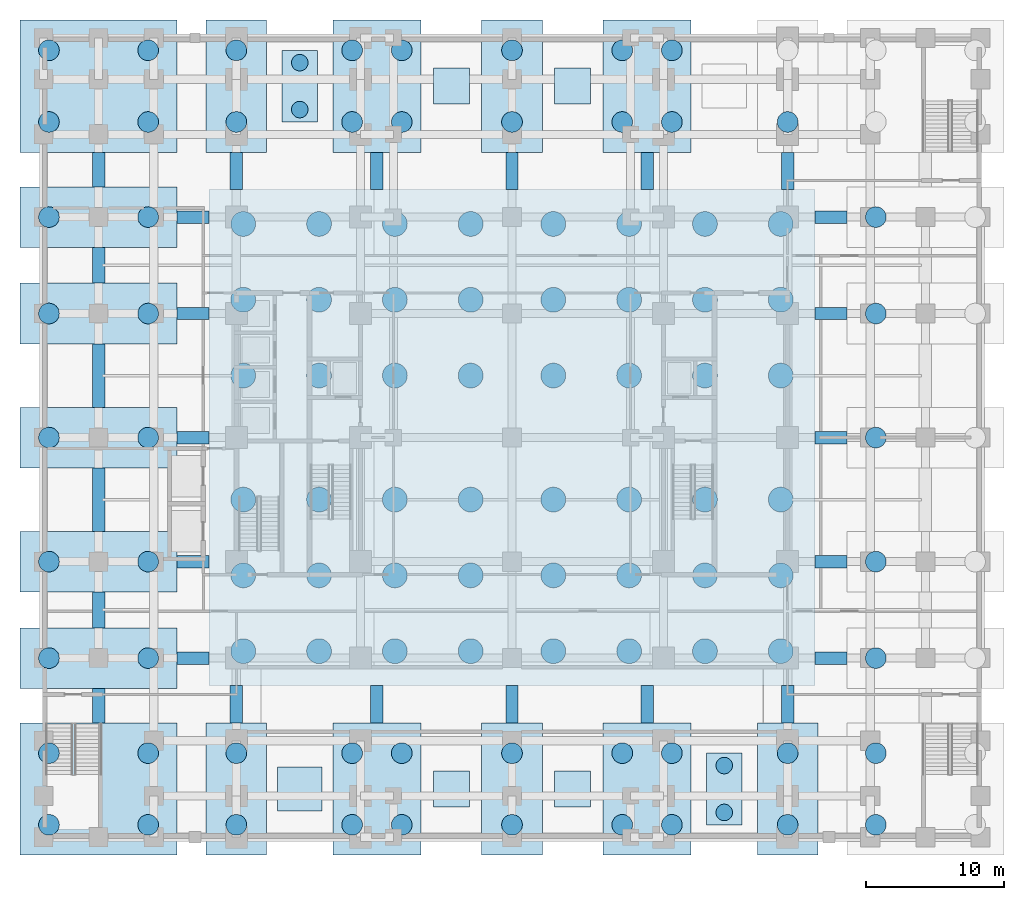
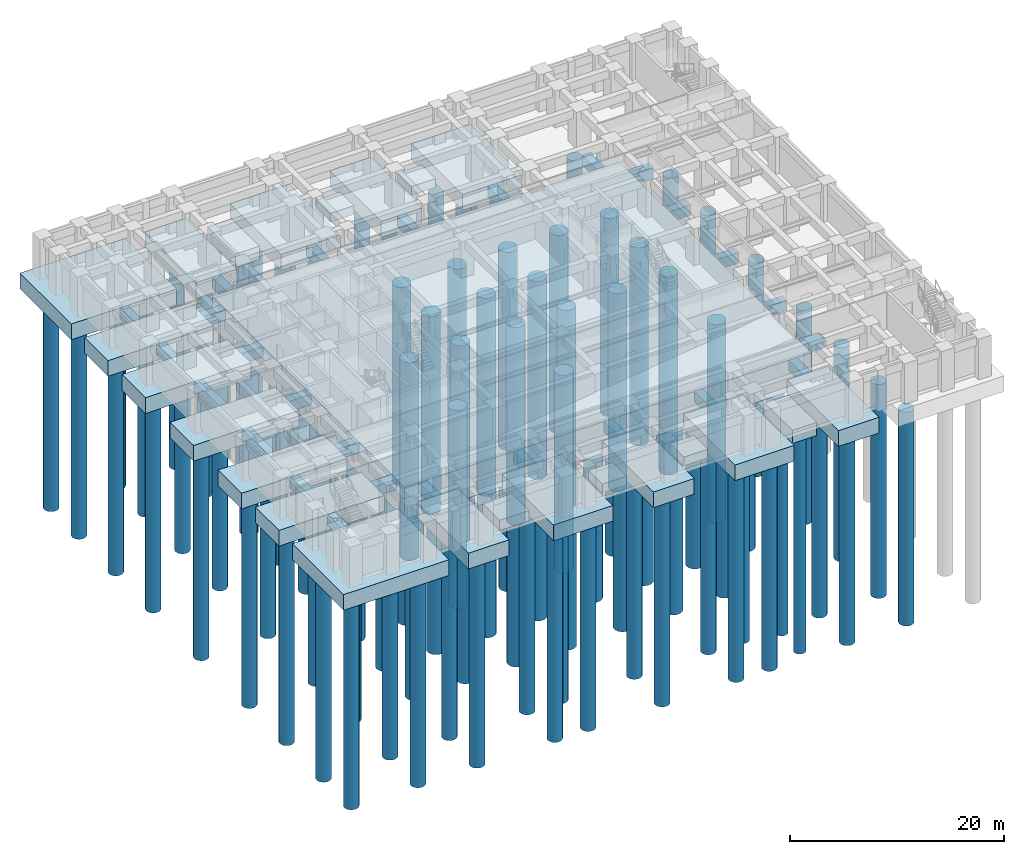
# One storey, part 1 of 16: 104 piles, 50 footings.
"""IFC4 building model written with IfcOpenShell, lengths in metres."""

import ifcopenshell
import ifcopenshell.guid

model = None  # the IFC model being written
_history = None  # IfcOwnerHistory: only IFC2X3 demands one
_inside = {}  # id of a spatial element -> (the spatial element, [elements in it])
_under = {}  # id of a project, library or spatial element -> (it, [spatial elements below it])
_declared = {}  # id of a project -> (the project, [libraries it declares])
_typed = {}  # id of a type object -> (the type object, [elements of that type])
_made_of = {}  # id of a material, layer set ... -> (it, [elements and type objects made of it])


def new_model(schema):
    """Start an empty IFC model of exactly this schema.

    Asked for "IFC4X3", IfcOpenShell would pick the latest addendum, in which some entities
    have other attributes; the version numbers below select the first issue.
    IFC2X3 requires an IfcOwnerHistory on every rooted entity: one is made here for all.
    """
    global model, _history
    if schema == "IFC4X3":
        model = ifcopenshell.file(schema_version=(4, 3, 0, 0))
    else:
        model = ifcopenshell.file(schema=schema)
    _inside.clear()
    _under.clear()
    _declared.clear()
    _typed.clear()
    _made_of.clear()
    _history = None
    if model.schema == "IFC2X3":
        org = make("IfcOrganization", Name="unknown")
        user = make(
            "IfcPersonAndOrganization",
            ThePerson=make("IfcPerson", FamilyName="unknown"),
            TheOrganization=org,
        )
        app = make(
            "IfcApplication",
            ApplicationDeveloper=org,
            Version="unknown",
            ApplicationFullName="unknown",
            ApplicationIdentifier="unknown",
        )
        _history = make(
            "IfcOwnerHistory",
            OwningUser=user,
            OwningApplication=app,
            ChangeAction="ADDED",
            CreationDate=0,
        )
    return model


def make(cls, **values):
    """One entity of the class cls with the attributes given. An attribute that is None is left unset."""
    return model.create_entity(
        cls, **{name: value for name, value in values.items() if value is not None}
    )


def rooted(cls, **values):
    """An entity with a GlobalId (a new one), such as an element, a storey or a relation."""
    return make(cls, GlobalId=ifcopenshell.guid.new(), OwnerHistory=_history, **values)


def si_unit(unit_type, name, prefix=None):
    """IfcSIUnit, for example si_unit("LENGTHUNIT", "METRE", prefix="MILLI")."""
    return make("IfcSIUnit", UnitType=unit_type, Prefix=prefix, Name=name)


def assignment(units):
    """IfcUnitAssignment: the units of a project."""
    return None if units is None else make("IfcUnitAssignment", Units=units)


def point(xyz):
    """IfcCartesianPoint."""
    return None if xyz is None else make("IfcCartesianPoint", Coordinates=xyz)


def direction(xyz):
    """IfcDirection."""
    return None if xyz is None else make("IfcDirection", DirectionRatios=xyz)


def frame(location, z_axis=None, x_axis=None):
    """IfcAxis2Placement3D, a coordinate frame: its origin and axes. An axis left out is left unset."""
    return make(
        "IfcAxis2Placement3D",
        Location=point(location),
        Axis=direction(z_axis),
        RefDirection=direction(x_axis),
    )


def frame_2d(location, x_axis=None):
    """IfcAxis2Placement2D, a coordinate frame in the plane: its origin and x axis."""
    return make(
        "IfcAxis2Placement2D", Location=point(location), RefDirection=direction(x_axis)
    )


def origin():
    """The frame at (0, 0, 0) with its axes left unset."""
    return frame((0.0, 0.0, 0.0))


def origin_2d():
    """The frame at (0, 0) in the plane with its x axis left unset."""
    return frame_2d((0.0, 0.0))


def place(relative_to, where):
    """IfcLocalPlacement: puts the frame where relative to a parent placement (None: the world)."""
    return make(
        "IfcLocalPlacement", PlacementRelTo=relative_to, RelativePlacement=where
    )


def context(
    kind, dimensions, precision=None, world=None, true_north=None, identifier=None
):
    """IfcGeometricRepresentationContext, for example the 3D "Model" context."""
    return make(
        "IfcGeometricRepresentationContext",
        ContextIdentifier=identifier,
        ContextType=kind,
        CoordinateSpaceDimension=dimensions,
        Precision=precision,
        WorldCoordinateSystem=world,
        TrueNorth=true_north,
    )


def subcontext(parent, identifier, kind, view, scale=None):
    """IfcGeometricRepresentationSubContext, for example "Body" below "Model"."""
    return make(
        "IfcGeometricRepresentationSubContext",
        ContextIdentifier=identifier,
        ContextType=kind,
        ParentContext=parent,
        TargetScale=scale,
        TargetView=view,
    )


def project(units=None, contexts=None):
    """IfcProject with its units and contexts."""
    return rooted(
        "IfcProject",
        Name="project",
        RepresentationContexts=contexts,
        UnitsInContext=assignment(units),
    )


def spatial(cls, under=None, at=None, **own):
    """A site, building, storey or space (cls), placed at a placement, below another one or the project."""
    s = rooted(cls, ObjectPlacement=at, **own)
    if under is not None:
        _under.setdefault(under.id(), (under, []))[1].append(s)
    return s


def polyline(points):
    """IfcPolyline through the points."""
    return make("IfcPolyline", Points=[point(p) for p in points])


def profile(cls, at=None, kind="AREA", **sizes):
    """A parametric profile (cls). Its sizes go by their IFC names, for example OverallWidth=200.0."""
    return make(cls, ProfileType=kind, Position=at, **sizes)


def rectangle(**sizes):
    """IfcRectangleProfileDef."""
    return profile("IfcRectangleProfileDef", **sizes)


def circle(**sizes):
    """IfcCircleProfileDef."""
    return profile("IfcCircleProfileDef", **sizes)


def outline(outer, holes=None, kind="AREA"):
    """IfcArbitraryClosedProfileDef: a profile drawn as a closed curve; with holes, ...WithVoids."""
    if holes is None:
        return make("IfcArbitraryClosedProfileDef", ProfileType=kind, OuterCurve=outer)
    return make(
        "IfcArbitraryProfileDefWithVoids",
        ProfileType=kind,
        OuterCurve=outer,
        InnerCurves=holes,
    )


def extrude(swept, where, along, depth):
    """IfcExtrudedAreaSolid: the profile swept, set in the frame where, extruded along a direction by depth."""
    return make(
        "IfcExtrudedAreaSolid",
        SweptArea=swept,
        Position=where,
        ExtrudedDirection=direction(along),
        Depth=depth,
    )


def shape(context_of_items, identifier, shape_type, items):
    """IfcShapeRepresentation: the items that make up one representation, for example the "Body"."""
    return make(
        "IfcShapeRepresentation",
        ContextOfItems=context_of_items,
        RepresentationIdentifier=identifier,
        RepresentationType=shape_type,
        Items=items,
    )


def material(Name=None, Category=None):
    """IfcMaterial."""
    return make("IfcMaterial", Name=Name, Category=Category)


def material_profile(
    of_material, cross_section, Name=None, Category=None, Priority=None
):
    """IfcMaterialProfile: a cross section and its material."""
    return make(
        "IfcMaterialProfile",
        Name=Name,
        Material=of_material,
        Profile=cross_section,
        Priority=Priority,
        Category=Category,
    )


def profile_set(profiles, Name=None, composite=None):
    """IfcMaterialProfileSet."""
    return make(
        "IfcMaterialProfileSet",
        Name=Name,
        MaterialProfiles=profiles,
        CompositeProfile=composite,
    )


def made_of(thing, what):
    """Note that an element or type object is made of a material, layer set ...; save() writes the relation."""
    if what is not None:
        _made_of.setdefault(what.id(), (what, []))[1].append(thing)
    return thing


def type_object(cls, material=None, **own):
    """A type object (cls), such as IfcWallType, which elements share."""
    return made_of(rooted(cls, **own), material)


def element(
    cls,
    number,
    at=None,
    inside=None,
    cuts=None,
    type_object=None,
    material=None,
    context=None,
    identifier="Body",
    shape_type=None,
    held_by="IfcProductDefinitionShape",
    body=None,
    shapes=None,
    **own,
):
    """One element of the class cls, such as IfcWall. Its Tag is "e" and its number.

    at: its placement. inside: the storey or other place that contains it. cuts: it is an
    opening in that element (IfcRelVoidsElement). A single representation is given by context,
    identifier, shape_type and body (its items); several are given by shapes. held_by: the class
    of the entity that holds the representations. save() writes the other relations.
    """
    e = rooted(cls, Tag="e%d" % number, ObjectPlacement=at, **own)
    if body is not None:
        shapes = [shape(context, identifier, shape_type, body)]
    if shapes is not None:
        e.Representation = make(held_by, Representations=shapes)
    if inside is not None:
        _inside.setdefault(inside.id(), (inside, []))[1].append(e)
    if cuts is not None:
        rooted(
            "IfcRelVoidsElement", RelatingBuildingElement=cuts, RelatedOpeningElement=e
        )
    if type_object is not None:
        _typed.setdefault(type_object.id(), (type_object, []))[1].append(e)
    return made_of(e, material)


def aggregate(whole, parts):
    """IfcRelAggregates: a whole, such as a stair, and the parts it consists of."""
    return rooted("IfcRelAggregates", RelatingObject=whole, RelatedObjects=parts)


def save(model, path):
    """Write the relations noted so far, then the file.

    IfcRelAggregates (storeys below a building ...), IfcRelContainedInSpatialStructure (elements
    in a storey), IfcRelDefinesByType, IfcRelAssociatesMaterial and IfcRelDeclares: one each for
    every whole, place, type object, material and project.
    """
    for whole, parts in _under.values():
        aggregate(whole, parts)
    for where, things in _inside.values():
        rooted(
            "IfcRelContainedInSpatialStructure",
            RelatedElements=things,
            RelatingStructure=where,
        )
    for kind, things in _typed.values():
        rooted("IfcRelDefinesByType", RelatedObjects=things, RelatingType=kind)
    for what, things in _made_of.values():
        rooted("IfcRelAssociatesMaterial", RelatedObjects=things, RelatingMaterial=what)
    for by, libraries in _declared.values():
        rooted("IfcRelDeclares", RelatingContext=by, RelatedDefinitions=libraries)
    model.write(path)


model = new_model("IFC4")

# Units and contexts
model_context = context("Model", 3, precision=1e-05, world=origin(), true_north=direction((0.0, 1.0)))
body_context = subcontext(model_context, "Body", "Model", "MODEL_VIEW")
ifc_project = project(units=[si_unit("LENGTHUNIT", "METRE"), si_unit("AREAUNIT", "SQUARE_METRE"), si_unit("VOLUMEUNIT", "CUBIC_METRE"), si_unit("PLANEANGLEUNIT", "RADIAN"), si_unit("MASSUNIT", "GRAM", prefix="KILO")], contexts=[model_context])

# Site, building, storey
site_placement = place(None, origin())
site = spatial("IfcSite", under=ifc_project, at=site_placement, CompositionType="ELEMENT")
building_placement = place(site_placement, origin())
building = spatial("IfcBuilding", under=site, at=building_placement, Name="Zulmaris Gate Convention Tower", CompositionType="ELEMENT")
storey_placement = place(building_placement, frame((0.0, 0.0, -9.10009765625)))
storey = spatial("IfcBuildingStorey", under=building, at=storey_placement, Name="B2", CompositionType="ELEMENT", Elevation=-9.10009765625)

# Footings
ifc_material = material(Name="Concrete C50/60", Category="concrete")
ifc_material_profile_1 = material_profile(ifc_material, rectangle(XDim=0.89990234375, YDim=1.199951171875, at=origin_2d()), Name="RC TIE 900x1200")
ifc_profile_set_1 = profile_set([ifc_material_profile_1], Name="Concrete C50/60")
footing_type_1 = type_object("IfcFootingType", Name="FT-GB-900x1200", PredefinedType="FOOTING_BEAM", material=ifc_profile_set_1)
footing_1_placement = place(storey_placement, frame((-30.0, -20.699951171875, -1.0498046875), z_axis=(0.0, 1.0, 0.0), x_axis=(-1.0, 0.0, 0.0)))
element("IfcFooting", 1, at=footing_1_placement, inside=storey, type_object=footing_type_1, Name="Ground Tie Beam 01", PredefinedType="FOOTING_BEAM", context=body_context, shape_type="SweptSolid", body=[
    extrude(rectangle(XDim=0.89990234375, YDim=1.199951171875, at=origin_2d()), origin(), (0.0, 0.0, 1.0), 2.5),
])
footing_2_placement = place(storey_placement, frame((-30.0, -13.800048828125, -1.0498046875), z_axis=(0.0, 1.0, 0.0), x_axis=(-1.0, 0.0, 0.0)))
element("IfcFooting", 2, at=footing_2_placement, inside=storey, type_object=footing_type_1, Name="Ground Tie Beam 02", PredefinedType="FOOTING_BEAM", context=body_context, shape_type="SweptSolid", body=[
    extrude(rectangle(XDim=0.89990234375, YDim=1.199951171875, at=origin_2d()), origin(), (0.0, 0.0, 1.0), 2.60009765625),
])
for number, where, z_axis, x_axis, name in (
    (3, (-30.0, -6.800048828125, -1.0498046875), (0.0, 1.0, 0.0), (-1.0, 0.0, 0.0), "Ground Tie Beam 03"),
    (4, (-30.0, 2.199951171875, -1.0498046875), (0.0, 1.0, 0.0), (-1.0, 0.0, 0.0), "Ground Tie Beam 04"),
):
    element("IfcFooting", number, at=place(storey_placement, frame(where, z_axis=z_axis, x_axis=x_axis)), inside=storey, type_object=footing_type_1, Name=name, PredefinedType="FOOTING_BEAM", context=body_context, shape_type="SweptSolid", body=[
        extrude(rectangle(XDim=0.89990234375, YDim=1.199951171875, at=origin_2d()), origin(), (0.0, 0.0, 1.0), 4.60009765625),
    ])
footing_3_placement = place(storey_placement, frame((-30.0, 11.199951171875, -1.0498046875), z_axis=(0.0, 1.0, 0.0), x_axis=(-1.0, 0.0, 0.0)))
element("IfcFooting", 5, at=footing_3_placement, inside=storey, type_object=footing_type_1, Name="Ground Tie Beam 05", PredefinedType="FOOTING_BEAM", context=body_context, shape_type="SweptSolid", body=[
    extrude(rectangle(XDim=0.89990234375, YDim=1.199951171875, at=origin_2d()), origin(), (0.0, 0.0, 1.0), 2.60009765625),
])
footing_4_placement = place(storey_placement, frame((-30.0, 18.199951171875, -1.0498046875), z_axis=(0.0, 1.0, 0.0), x_axis=(-1.0, 0.0, 0.0)))
element("IfcFooting", 6, at=footing_4_placement, inside=storey, type_object=footing_type_1, Name="Ground Tie Beam 06", PredefinedType="FOOTING_BEAM", context=body_context, shape_type="SweptSolid", body=[
    extrude(rectangle(XDim=0.89990234375, YDim=1.199951171875, at=origin_2d()), origin(), (0.0, 0.0, 1.0), 2.5),
])
for number, where, z_axis, x_axis, name in (
    (7, (-24.300048828125, -16.0, -1.0498046875), (1.0, 0.0, 0.0), (0.0, 1.0, 0.0), "Ground Tie Beam 13"),
    (8, (-24.300048828125, -9.0, -1.0498046875), (1.0, 0.0, 0.0), (0.0, 1.0, 0.0), "Ground Tie Beam 14"),
    (9, (-24.300048828125, 0.0, -1.0498046875), (1.0, 0.0, 0.0), (0.0, 1.0, 0.0), "Ground Tie Beam 15"),
    (10, (-24.300048828125, 9.0, -1.0498046875), (1.0, 0.0, 0.0), (0.0, 1.0, 0.0), "Ground Tie Beam 16"),
    (11, (-24.300048828125, 16.0, -1.0498046875), (1.0, 0.0, 0.0), (0.0, 1.0, 0.0), "Ground Tie Beam 17"),
    (12, (22.0, -16.0, -1.0498046875), (1.0, 0.0, 0.0), (0.0, 1.0, 0.0), "Ground Tie Beam 18"),
    (13, (22.0, -9.0, -1.0498046875), (1.0, 0.0, 0.0), (0.0, 1.0, 0.0), "Ground Tie Beam 19"),
    (14, (22.0, 0.0, -1.0498046875), (1.0, 0.0, 0.0), (0.0, 1.0, 0.0), "Ground Tie Beam 20"),
    (15, (22.0, 9.0, -1.0498046875), (1.0, 0.0, 0.0), (0.0, 1.0, 0.0), "Ground Tie Beam 21"),
    (16, (22.0, 16.0, -1.0498046875), (1.0, 0.0, 0.0), (0.0, 1.0, 0.0), "Ground Tie Beam 22"),
):
    element("IfcFooting", number, at=place(storey_placement, frame(where, z_axis=z_axis, x_axis=x_axis)), inside=storey, type_object=footing_type_1, Name=name, PredefinedType="FOOTING_BEAM", context=body_context, shape_type="SweptSolid", body=[
        extrude(rectangle(XDim=0.89990234375, YDim=1.199951171875, at=origin_2d()), origin(), (0.0, 0.0, 1.0), 2.300048828125),
    ])
for number, where, z_axis, x_axis, name in (
    (17, (-20.0, -20.699951171875, -1.0498046875), (0.0, 1.0, 0.0), (-1.0, 0.0, 0.0), "Ground Tie Beam 23"),
    (18, (-9.800048828125, -20.699951171875, -1.0498046875), (0.0, 1.0, 0.0), (-1.0, 0.0, 0.0), "Ground Tie Beam 24"),
    (19, (0.0, -20.699951171875, -1.0498046875), (0.0, 1.0, 0.0), (-1.0, 0.0, 0.0), "Ground Tie Beam 25"),
    (20, (9.800048828125, -20.699951171875, -1.0498046875), (0.0, 1.0, 0.0), (-1.0, 0.0, 0.0), "Ground Tie Beam 26"),
    (21, (20.0, -20.699951171875, -1.0498046875), (0.0, 1.0, 0.0), (-1.0, 0.0, 0.0), "Ground Tie Beam 27"),
    (22, (-20.0, 18.0, -1.0498046875), (0.0, 1.0, 0.0), (-1.0, 0.0, 0.0), "Ground Tie Beam 28"),
    (23, (-9.800048828125, 18.0, -1.0498046875), (0.0, 1.0, 0.0), (-1.0, 0.0, 0.0), "Ground Tie Beam 29"),
    (24, (0.0, 18.0, -1.0498046875), (0.0, 1.0, 0.0), (-1.0, 0.0, 0.0), "Ground Tie Beam 30"),
    (25, (9.800048828125, 18.0, -1.0498046875), (0.0, 1.0, 0.0), (-1.0, 0.0, 0.0), "Ground Tie Beam 31"),
    (26, (20.0, 18.0, -1.0498046875), (0.0, 1.0, 0.0), (-1.0, 0.0, 0.0), "Ground Tie Beam 32"),
):
    element("IfcFooting", number, at=place(storey_placement, frame(where, z_axis=z_axis, x_axis=x_axis)), inside=storey, type_object=footing_type_1, Name=name, PredefinedType="FOOTING_BEAM", context=body_context, shape_type="SweptSolid", body=[
        extrude(rectangle(XDim=0.89990234375, YDim=1.199951171875, at=origin_2d()), origin(), (0.0, 0.0, 1.0), 2.699951171875),
    ])
footing_type_2 = type_object("IfcFootingType", Name="FT-PC-1200", PredefinedType="PILE_CAP", material=ifc_material)
footing_5_placement = place(storey_placement, frame((0.0, 0.0, -1.949951171875)))
element("IfcFooting", 27, at=footing_5_placement, inside=storey, type_object=footing_type_2, Name="Secondary Pile Cap FT-PC12-1", PredefinedType="PILE_CAP", context=body_context, shape_type="SweptSolid", body=[
    extrude(outline(polyline([(-16.699951171875, 22.89990234375), (-14.10009765625, 22.89990234375), (-14.10009765625, 28.10009765625), (-16.699951171875, 28.10009765625), (-16.699951171875, 22.89990234375)])), origin(), (0.0, 0.0, 1.0), 1.5),
])
footing_6_placement = place(storey_placement, frame((0.0, 0.0, -1.949951171875)))
element("IfcFooting", 28, at=footing_6_placement, inside=storey, type_object=footing_type_2, Name="Secondary Pile Cap FT-PC12-2", PredefinedType="PILE_CAP", context=body_context, shape_type="SweptSolid", body=[
    extrude(outline(polyline([(14.10009765625, -28.10009765625), (16.699951171875, -28.10009765625), (16.699951171875, -22.89990234375), (14.10009765625, -22.89990234375), (14.10009765625, -28.10009765625)])), origin(), (0.0, 0.0, 1.0), 1.5),
])
footing_type_3 = type_object("IfcFootingType", Name="FT-PC-A", PredefinedType="PILE_CAP", material=ifc_material)
footing_7_placement = place(storey_placement, frame((0.0, 0.0, -2.25)))
element("IfcFooting", 29, at=footing_7_placement, inside=storey, type_object=footing_type_3, Name="Perimeter Pile Cap FT-PC-W1", PredefinedType="PILE_CAP", context=body_context, shape_type="SweptSolid", body=[
    extrude(outline(polyline([(-35.699951171875, -18.199951171875), (-24.300048828125, -18.199951171875), (-24.300048828125, -13.800048828125), (-35.699951171875, -13.800048828125), (-35.699951171875, -18.199951171875)])), origin(), (0.0, 0.0, 1.0), 1.800048828125),
])
footing_8_placement = place(storey_placement, frame((0.0, 0.0, -2.25)))
element("IfcFooting", 30, at=footing_8_placement, inside=storey, type_object=footing_type_3, Name="Perimeter Pile Cap FT-PC-W2", PredefinedType="PILE_CAP", context=body_context, shape_type="SweptSolid", body=[
    extrude(outline(polyline([(-35.699951171875, -11.199951171875), (-24.300048828125, -11.199951171875), (-24.300048828125, -6.800048828125), (-35.699951171875, -6.800048828125), (-35.699951171875, -11.199951171875)])), origin(), (0.0, 0.0, 1.0), 1.800048828125),
])
footing_9_placement = place(storey_placement, frame((0.0, 0.0, -2.25)))
element("IfcFooting", 31, at=footing_9_placement, inside=storey, type_object=footing_type_3, Name="Perimeter Pile Cap FT-PC-W3", PredefinedType="PILE_CAP", context=body_context, shape_type="SweptSolid", body=[
    extrude(outline(polyline([(-35.699951171875, -2.199951171875), (-24.300048828125, -2.199951171875), (-24.300048828125, 2.199951171875), (-35.699951171875, 2.199951171875), (-35.699951171875, -2.199951171875)])), origin(), (0.0, 0.0, 1.0), 1.800048828125),
])
footing_10_placement = place(storey_placement, frame((0.0, 0.0, -2.25)))
element("IfcFooting", 32, at=footing_10_placement, inside=storey, type_object=footing_type_3, Name="Perimeter Pile Cap FT-PC-W4", PredefinedType="PILE_CAP", context=body_context, shape_type="SweptSolid", body=[
    extrude(outline(polyline([(-35.699951171875, 6.800048828125), (-24.300048828125, 6.800048828125), (-24.300048828125, 11.199951171875), (-35.699951171875, 11.199951171875), (-35.699951171875, 6.800048828125)])), origin(), (0.0, 0.0, 1.0), 1.800048828125),
])
footing_11_placement = place(storey_placement, frame((0.0, 0.0, -2.25)))
element("IfcFooting", 33, at=footing_11_placement, inside=storey, type_object=footing_type_3, Name="Perimeter Pile Cap FT-PC-W5", PredefinedType="PILE_CAP", context=body_context, shape_type="SweptSolid", body=[
    extrude(outline(polyline([(-35.699951171875, 13.800048828125), (-24.300048828125, 13.800048828125), (-24.300048828125, 18.199951171875), (-35.699951171875, 18.199951171875), (-35.699951171875, 13.800048828125)])), origin(), (0.0, 0.0, 1.0), 1.800048828125),
])
footing_type_4 = type_object("IfcFootingType", Name="FT-PC-ARC", PredefinedType="PILE_CAP", material=ifc_material)
footing_12_placement = place(storey_placement, frame((0.0, 0.0, -2.25)))
element("IfcFooting", 34, at=footing_12_placement, inside=storey, type_object=footing_type_4, Name="Perimeter Pile Cap FT-PC-S2", PredefinedType="PILE_CAP", context=body_context, shape_type="SweptSolid", body=[
    extrude(outline(polyline([(-13.0, -30.300048828125), (-6.60009765625, -30.300048828125), (-6.60009765625, -20.699951171875), (-13.0, -20.699951171875), (-13.0, -30.300048828125)])), origin(), (0.0, 0.0, 1.0), 1.800048828125),
])
footing_13_placement = place(storey_placement, frame((0.0, 0.0, -2.25)))
element("IfcFooting", 35, at=footing_13_placement, inside=storey, type_object=footing_type_4, Name="Perimeter Pile Cap FT-PC-S4", PredefinedType="PILE_CAP", context=body_context, shape_type="SweptSolid", body=[
    extrude(outline(polyline([(6.60009765625, -30.300048828125), (13.0, -30.300048828125), (13.0, -20.699951171875), (6.60009765625, -20.699951171875), (6.60009765625, -30.300048828125)])), origin(), (0.0, 0.0, 1.0), 1.800048828125),
])
footing_14_placement = place(storey_placement, frame((0.0, 0.0, -2.25)))
element("IfcFooting", 36, at=footing_14_placement, inside=storey, type_object=footing_type_4, Name="Perimeter Pile Cap FT-PC-N2", PredefinedType="PILE_CAP", context=body_context, shape_type="SweptSolid", body=[
    extrude(outline(polyline([(-13.0, 20.699951171875), (-6.60009765625, 20.699951171875), (-6.60009765625, 30.300048828125), (-13.0, 30.300048828125), (-13.0, 20.699951171875)])), origin(), (0.0, 0.0, 1.0), 1.800048828125),
])
footing_15_placement = place(storey_placement, frame((0.0, 0.0, -2.25)))
element("IfcFooting", 37, at=footing_15_placement, inside=storey, type_object=footing_type_4, Name="Perimeter Pile Cap FT-PC-N4", PredefinedType="PILE_CAP", context=body_context, shape_type="SweptSolid", body=[
    extrude(outline(polyline([(6.60009765625, 20.699951171875), (13.0, 20.699951171875), (13.0, 30.300048828125), (6.60009765625, 30.300048828125), (6.60009765625, 20.699951171875)])), origin(), (0.0, 0.0, 1.0), 1.800048828125),
])
footing_type_5 = type_object("IfcFootingType", Name="FT-PC-B", PredefinedType="PILE_CAP", material=ifc_material)
footing_16_placement = place(storey_placement, frame((0.0, 0.0, -2.25)))
element("IfcFooting", 38, at=footing_16_placement, inside=storey, type_object=footing_type_5, Name="Perimeter Pile Cap FT-PC-S1", PredefinedType="PILE_CAP", context=body_context, shape_type="SweptSolid", body=[
    extrude(outline(polyline([(-22.199951171875, -30.300048828125), (-17.800048828125, -30.300048828125), (-17.800048828125, -20.699951171875), (-22.199951171875, -20.699951171875), (-22.199951171875, -30.300048828125)])), origin(), (0.0, 0.0, 1.0), 1.800048828125),
])
footing_17_placement = place(storey_placement, frame((0.0, 0.0, -2.25)))
element("IfcFooting", 39, at=footing_17_placement, inside=storey, type_object=footing_type_5, Name="Perimeter Pile Cap FT-PC-S3", PredefinedType="PILE_CAP", context=body_context, shape_type="SweptSolid", body=[
    extrude(outline(polyline([(-2.199951171875, -30.300048828125), (2.199951171875, -30.300048828125), (2.199951171875, -20.699951171875), (-2.199951171875, -20.699951171875), (-2.199951171875, -30.300048828125)])), origin(), (0.0, 0.0, 1.0), 1.800048828125),
])
footing_18_placement = place(storey_placement, frame((0.0, 0.0, -2.25)))
element("IfcFooting", 40, at=footing_18_placement, inside=storey, type_object=footing_type_5, Name="Perimeter Pile Cap FT-PC-S5", PredefinedType="PILE_CAP", context=body_context, shape_type="SweptSolid", body=[
    extrude(outline(polyline([(17.800048828125, -30.300048828125), (22.199951171875, -30.300048828125), (22.199951171875, -20.699951171875), (17.800048828125, -20.699951171875), (17.800048828125, -30.300048828125)])), origin(), (0.0, 0.0, 1.0), 1.800048828125),
])
footing_19_placement = place(storey_placement, frame((0.0, 0.0, -2.25)))
element("IfcFooting", 41, at=footing_19_placement, inside=storey, type_object=footing_type_5, Name="Perimeter Pile Cap FT-PC-N1", PredefinedType="PILE_CAP", context=body_context, shape_type="SweptSolid", body=[
    extrude(outline(polyline([(-22.199951171875, 20.699951171875), (-17.800048828125, 20.699951171875), (-17.800048828125, 30.300048828125), (-22.199951171875, 30.300048828125), (-22.199951171875, 20.699951171875)])), origin(), (0.0, 0.0, 1.0), 1.800048828125),
])
footing_20_placement = place(storey_placement, frame((0.0, 0.0, -2.25)))
element("IfcFooting", 42, at=footing_20_placement, inside=storey, type_object=footing_type_5, Name="Perimeter Pile Cap FT-PC-N3", PredefinedType="PILE_CAP", context=body_context, shape_type="SweptSolid", body=[
    extrude(outline(polyline([(-2.199951171875, 20.699951171875), (2.199951171875, 20.699951171875), (2.199951171875, 30.300048828125), (-2.199951171875, 30.300048828125), (-2.199951171875, 20.699951171875)])), origin(), (0.0, 0.0, 1.0), 1.800048828125),
])
footing_type_6 = type_object("IfcFootingType", Name="FT-PC-CRN", PredefinedType="PILE_CAP", material=ifc_material)
footing_21_placement = place(storey_placement, frame((0.0, 0.0, -2.25)))
element("IfcFooting", 43, at=footing_21_placement, inside=storey, type_object=footing_type_6, Name="Perimeter Pile Cap FT-PC-WS", PredefinedType="PILE_CAP", context=body_context, shape_type="SweptSolid", body=[
    extrude(outline(polyline([(-35.699951171875, -30.300048828125), (-24.300048828125, -30.300048828125), (-24.300048828125, -20.699951171875), (-35.699951171875, -20.699951171875), (-35.699951171875, -30.300048828125)])), origin(), (0.0, 0.0, 1.0), 1.800048828125),
])
footing_22_placement = place(storey_placement, frame((0.0, 0.0, -2.25)))
element("IfcFooting", 44, at=footing_22_placement, inside=storey, type_object=footing_type_6, Name="Perimeter Pile Cap FT-PC-WN", PredefinedType="PILE_CAP", context=body_context, shape_type="SweptSolid", body=[
    extrude(outline(polyline([(-35.699951171875, 20.699951171875), (-24.300048828125, 20.699951171875), (-24.300048828125, 30.300048828125), (-35.699951171875, 30.300048828125), (-35.699951171875, 20.699951171875)])), origin(), (0.0, 0.0, 1.0), 1.800048828125),
])
footing_type_7 = type_object("IfcFootingType", Name="FT-PF-A", PredefinedType="PAD_FOOTING", material=ifc_material)
footing_23_placement = place(storey_placement, frame((0.0, 0.0, -1.64990234375)))
element("IfcFooting", 45, at=footing_23_placement, inside=storey, type_object=footing_type_7, Name="Isolated Pad Footing FT-PAD-01", PredefinedType="PAD_FOOTING", context=body_context, shape_type="SweptSolid", body=[
    extrude(outline(polyline([(-17.0, -27.10009765625), (-13.800048828125, -27.10009765625), (-13.800048828125, -23.89990234375), (-17.0, -23.89990234375), (-17.0, -27.10009765625)])), origin(), (0.0, 0.0, 1.0), 1.199951171875),
])
footing_type_8 = type_object("IfcFootingType", Name="FT-PF-B", PredefinedType="PAD_FOOTING", material=ifc_material)
footing_24_placement = place(storey_placement, frame((0.0, 0.0, -1.449951171875)))
element("IfcFooting", 46, at=footing_24_placement, inside=storey, type_object=footing_type_8, Name="Isolated Pad Footing FT-PAD-03", PredefinedType="PAD_FOOTING", context=body_context, shape_type="SweptSolid", body=[
    extrude(outline(polyline([(-5.699951171875, -26.800048828125), (-3.10009765625, -26.800048828125), (-3.10009765625, -24.199951171875), (-5.699951171875, -24.199951171875), (-5.699951171875, -26.800048828125)])), origin(), (0.0, 0.0, 1.0), 1.0),
])
footing_25_placement = place(storey_placement, frame((0.0, 0.0, -1.449951171875)))
element("IfcFooting", 47, at=footing_25_placement, inside=storey, type_object=footing_type_8, Name="Isolated Pad Footing FT-PAD-04", PredefinedType="PAD_FOOTING", context=body_context, shape_type="SweptSolid", body=[
    extrude(outline(polyline([(3.10009765625, -26.800048828125), (5.699951171875, -26.800048828125), (5.699951171875, -24.199951171875), (3.10009765625, -24.199951171875), (3.10009765625, -26.800048828125)])), origin(), (0.0, 0.0, 1.0), 1.0),
])
footing_26_placement = place(storey_placement, frame((0.0, 0.0, -1.449951171875)))
element("IfcFooting", 48, at=footing_26_placement, inside=storey, type_object=footing_type_8, Name="Isolated Pad Footing FT-PAD-05", PredefinedType="PAD_FOOTING", context=body_context, shape_type="SweptSolid", body=[
    extrude(outline(polyline([(-5.699951171875, 24.199951171875), (-3.10009765625, 24.199951171875), (-3.10009765625, 26.800048828125), (-5.699951171875, 26.800048828125), (-5.699951171875, 24.199951171875)])), origin(), (0.0, 0.0, 1.0), 1.0),
])
footing_27_placement = place(storey_placement, frame((0.0, 0.0, -1.449951171875)))
element("IfcFooting", 49, at=footing_27_placement, inside=storey, type_object=footing_type_8, Name="Isolated Pad Footing FT-PAD-06", PredefinedType="PAD_FOOTING", context=body_context, shape_type="SweptSolid", body=[
    extrude(outline(polyline([(3.10009765625, 24.199951171875), (5.699951171875, 24.199951171875), (5.699951171875, 26.800048828125), (3.10009765625, 26.800048828125), (3.10009765625, 24.199951171875)])), origin(), (0.0, 0.0, 1.0), 1.0),
])
footing_type_9 = type_object("IfcFootingType", Name="FT-RAFT-3600", PredefinedType="PILE_CAP", material=ifc_material)
footing_28_placement = place(storey_placement, frame((0.0, 0.0, -4.0498046875)))
element("IfcFooting", 50, at=footing_28_placement, inside=storey, type_object=footing_type_9, Name="Tower Core and Arch Abutment Piled Raft", PredefinedType="PILE_CAP", context=body_context, shape_type="SweptSolid", body=[
    extrude(outline(polyline([(-22.0, -18.0), (22.0, -18.0), (22.0, 18.0), (-22.0, 18.0), (-22.0, -18.0)])), origin(), (0.0, 0.0, 1.0), 3.599853515625),
])

# Piles
ifc_material_profile_2 = material_profile(ifc_material, circle(Radius=0.60009765625, at=origin_2d()), Name="BORED PILE 1200")
ifc_profile_set_2 = profile_set([ifc_material_profile_2], Name="Concrete C50/60")
pile_type_1 = type_object("IfcPileType", Name="PL-BP1200", PredefinedType="BORED", material=ifc_profile_set_2)
for number, where, z_axis, x_axis, name in (
    (51, (-15.39990234375, 23.800048828125, -1.849853515625), (0.0, 0.0, -1.0), (1.0, 0.0, 0.0), "Secondary Bored Pile FT-PC12-1-P1"),
    (52, (-15.39990234375, 27.199951171875, -1.849853515625), (0.0, 0.0, -1.0), (1.0, 0.0, 0.0), "Secondary Bored Pile FT-PC12-1-P2"),
    (53, (15.39990234375, -27.199951171875, -1.849853515625), (0.0, 0.0, -1.0), (1.0, 0.0, 0.0), "Secondary Bored Pile FT-PC12-2-P1"),
    (54, (15.39990234375, -23.800048828125, -1.849853515625), (0.0, 0.0, -1.0), (1.0, 0.0, 0.0), "Secondary Bored Pile FT-PC12-2-P2"),
):
    element("IfcPile", number, at=place(storey_placement, frame(where, z_axis=z_axis, x_axis=x_axis)), inside=storey, type_object=pile_type_1, Name=name, PredefinedType="BORED", context=body_context, shape_type="SweptSolid", body=[
        extrude(circle(Radius=0.60009765625, at=origin_2d()), origin(), (0.0, 0.0, 1.0), 24.75),
    ])
ifc_material_profile_3 = material_profile(ifc_material, circle(Radius=0.75, at=origin_2d()), Name="BORED PILE 1500")
ifc_profile_set_3 = profile_set([ifc_material_profile_3], Name="Concrete C50/60")
pile_type_2 = type_object("IfcPileType", Name="PL-BP1500", PredefinedType="BORED", material=ifc_profile_set_3)
for number, where, z_axis, x_axis, name in (
    (55, (-33.60009765625, -28.10009765625, -2.14990234375), (0.0, 0.0, -1.0), (1.0, 0.0, 0.0), "Cap Bored Pile FT-PC-WS-P1"),
    (56, (-26.39990234375, -28.10009765625, -2.14990234375), (0.0, 0.0, -1.0), (1.0, 0.0, 0.0), "Cap Bored Pile FT-PC-WS-P2"),
    (57, (-33.60009765625, -22.89990234375, -2.14990234375), (0.0, 0.0, -1.0), (1.0, 0.0, 0.0), "Cap Bored Pile FT-PC-WS-P3"),
    (58, (-26.39990234375, -22.89990234375, -2.14990234375), (0.0, 0.0, -1.0), (1.0, 0.0, 0.0), "Cap Bored Pile FT-PC-WS-P4"),
    (59, (-33.60009765625, 22.89990234375, -2.14990234375), (0.0, 0.0, -1.0), (1.0, 0.0, 0.0), "Cap Bored Pile FT-PC-WN-P1"),
    (60, (-26.39990234375, 22.89990234375, -2.14990234375), (0.0, 0.0, -1.0), (1.0, 0.0, 0.0), "Cap Bored Pile FT-PC-WN-P2"),
    (61, (-33.60009765625, 28.10009765625, -2.14990234375), (0.0, 0.0, -1.0), (1.0, 0.0, 0.0), "Cap Bored Pile FT-PC-WN-P3"),
    (62, (-26.39990234375, 28.10009765625, -2.14990234375), (0.0, 0.0, -1.0), (1.0, 0.0, 0.0), "Cap Bored Pile FT-PC-WN-P4"),
    (63, (-33.60009765625, -16.0, -2.14990234375), (0.0, 0.0, -1.0), (1.0, 0.0, 0.0), "Cap Bored Pile FT-PC-W1-P1"),
    (64, (-26.39990234375, -16.0, -2.14990234375), (0.0, 0.0, -1.0), (1.0, 0.0, 0.0), "Cap Bored Pile FT-PC-W1-P2"),
    (65, (-33.60009765625, -9.0, -2.14990234375), (0.0, 0.0, -1.0), (1.0, 0.0, 0.0), "Cap Bored Pile FT-PC-W2-P1"),
    (66, (-26.39990234375, -9.0, -2.14990234375), (0.0, 0.0, -1.0), (1.0, 0.0, 0.0), "Cap Bored Pile FT-PC-W2-P2"),
    (67, (-33.60009765625, 0.0, -2.14990234375), (0.0, 0.0, -1.0), (1.0, 0.0, 0.0), "Cap Bored Pile FT-PC-W3-P1"),
    (68, (-26.39990234375, 0.0, -2.14990234375), (0.0, 0.0, -1.0), (1.0, 0.0, 0.0), "Cap Bored Pile FT-PC-W3-P2"),
    (69, (-33.60009765625, 9.0, -2.14990234375), (0.0, 0.0, -1.0), (1.0, 0.0, 0.0), "Cap Bored Pile FT-PC-W4-P1"),
    (70, (-26.39990234375, 9.0, -2.14990234375), (0.0, 0.0, -1.0), (1.0, 0.0, 0.0), "Cap Bored Pile FT-PC-W4-P2"),
    (71, (-33.60009765625, 16.0, -2.14990234375), (0.0, 0.0, -1.0), (1.0, 0.0, 0.0), "Cap Bored Pile FT-PC-W5-P1"),
    (72, (-26.39990234375, 16.0, -2.14990234375), (0.0, 0.0, -1.0), (1.0, 0.0, 0.0), "Cap Bored Pile FT-PC-W5-P2"),
    (73, (26.39990234375, -28.10009765625, -2.14990234375), (0.0, 0.0, -1.0), (1.0, 0.0, 0.0), "Cap Bored Pile FT-PC-ES-P1"),
    (74, (26.39990234375, -22.89990234375, -2.14990234375), (0.0, 0.0, -1.0), (1.0, 0.0, 0.0), "Cap Bored Pile FT-PC-ES-P3"),
    (75, (26.39990234375, -16.0, -2.14990234375), (0.0, 0.0, -1.0), (1.0, 0.0, 0.0), "Cap Bored Pile FT-PC-E1-P1"),
    (76, (26.39990234375, -9.0, -2.14990234375), (0.0, 0.0, -1.0), (1.0, 0.0, 0.0), "Cap Bored Pile FT-PC-E2-P1"),
    (77, (26.39990234375, 0.0, -2.14990234375), (0.0, 0.0, -1.0), (1.0, 0.0, 0.0), "Cap Bored Pile FT-PC-E3-P1"),
    (78, (26.39990234375, 9.0, -2.14990234375), (0.0, 0.0, -1.0), (1.0, 0.0, 0.0), "Cap Bored Pile FT-PC-E4-P1"),
    (79, (26.39990234375, 16.0, -2.14990234375), (0.0, 0.0, -1.0), (1.0, 0.0, 0.0), "Cap Bored Pile FT-PC-E5-P1"),
    (80, (-20.0, -28.10009765625, -2.14990234375), (0.0, 0.0, -1.0), (1.0, 0.0, 0.0), "Cap Bored Pile FT-PC-S1-P1"),
    (81, (-20.0, -22.89990234375, -2.14990234375), (0.0, 0.0, -1.0), (1.0, 0.0, 0.0), "Cap Bored Pile FT-PC-S1-P2"),
    (82, (-11.60009765625, -28.10009765625, -2.14990234375), (0.0, 0.0, -1.0), (1.0, 0.0, 0.0), "Cap Bored Pile FT-PC-S2-P1"),
    (83, (-8.0, -28.10009765625, -2.14990234375), (0.0, 0.0, -1.0), (1.0, 0.0, 0.0), "Cap Bored Pile FT-PC-S2-P2"),
    (84, (-11.60009765625, -22.89990234375, -2.14990234375), (0.0, 0.0, -1.0), (1.0, 0.0, 0.0), "Cap Bored Pile FT-PC-S2-P3"),
    (85, (-8.0, -22.89990234375, -2.14990234375), (0.0, 0.0, -1.0), (1.0, 0.0, 0.0), "Cap Bored Pile FT-PC-S2-P4"),
    (86, (0.0, -28.10009765625, -2.14990234375), (0.0, 0.0, -1.0), (1.0, 0.0, 0.0), "Cap Bored Pile FT-PC-S3-P1"),
    (87, (0.0, -22.89990234375, -2.14990234375), (0.0, 0.0, -1.0), (1.0, 0.0, 0.0), "Cap Bored Pile FT-PC-S3-P2"),
    (88, (8.0, -28.10009765625, -2.14990234375), (0.0, 0.0, -1.0), (1.0, 0.0, 0.0), "Cap Bored Pile FT-PC-S4-P1"),
    (89, (11.60009765625, -28.10009765625, -2.14990234375), (0.0, 0.0, -1.0), (1.0, 0.0, 0.0), "Cap Bored Pile FT-PC-S4-P2"),
    (90, (8.0, -22.89990234375, -2.14990234375), (0.0, 0.0, -1.0), (1.0, 0.0, 0.0), "Cap Bored Pile FT-PC-S4-P3"),
    (91, (11.60009765625, -22.89990234375, -2.14990234375), (0.0, 0.0, -1.0), (1.0, 0.0, 0.0), "Cap Bored Pile FT-PC-S4-P4"),
    (92, (20.0, -28.10009765625, -2.14990234375), (0.0, 0.0, -1.0), (1.0, 0.0, 0.0), "Cap Bored Pile FT-PC-S5-P1"),
    (93, (20.0, -22.89990234375, -2.14990234375), (0.0, 0.0, -1.0), (1.0, 0.0, 0.0), "Cap Bored Pile FT-PC-S5-P2"),
    (94, (-20.0, 22.89990234375, -2.14990234375), (0.0, 0.0, -1.0), (1.0, 0.0, 0.0), "Cap Bored Pile FT-PC-N1-P1"),
    (95, (-20.0, 28.10009765625, -2.14990234375), (0.0, 0.0, -1.0), (1.0, 0.0, 0.0), "Cap Bored Pile FT-PC-N1-P2"),
    (96, (-11.60009765625, 22.89990234375, -2.14990234375), (0.0, 0.0, -1.0), (1.0, 0.0, 0.0), "Cap Bored Pile FT-PC-N2-P1"),
    (97, (-8.0, 22.89990234375, -2.14990234375), (0.0, 0.0, -1.0), (1.0, 0.0, 0.0), "Cap Bored Pile FT-PC-N2-P2"),
    (98, (-11.60009765625, 28.10009765625, -2.14990234375), (0.0, 0.0, -1.0), (1.0, 0.0, 0.0), "Cap Bored Pile FT-PC-N2-P3"),
    (99, (-8.0, 28.10009765625, -2.14990234375), (0.0, 0.0, -1.0), (1.0, 0.0, 0.0), "Cap Bored Pile FT-PC-N2-P4"),
    (100, (0.0, 22.89990234375, -2.14990234375), (0.0, 0.0, -1.0), (1.0, 0.0, 0.0), "Cap Bored Pile FT-PC-N3-P1"),
    (101, (0.0, 28.10009765625, -2.14990234375), (0.0, 0.0, -1.0), (1.0, 0.0, 0.0), "Cap Bored Pile FT-PC-N3-P2"),
    (102, (8.0, 22.89990234375, -2.14990234375), (0.0, 0.0, -1.0), (1.0, 0.0, 0.0), "Cap Bored Pile FT-PC-N4-P1"),
    (103, (11.60009765625, 22.89990234375, -2.14990234375), (0.0, 0.0, -1.0), (1.0, 0.0, 0.0), "Cap Bored Pile FT-PC-N4-P2"),
    (104, (8.0, 28.10009765625, -2.14990234375), (0.0, 0.0, -1.0), (1.0, 0.0, 0.0), "Cap Bored Pile FT-PC-N4-P3"),
    (105, (11.60009765625, 28.10009765625, -2.14990234375), (0.0, 0.0, -1.0), (1.0, 0.0, 0.0), "Cap Bored Pile FT-PC-N4-P4"),
    (106, (20.0, 22.89990234375, -2.14990234375), (0.0, 0.0, -1.0), (1.0, 0.0, 0.0), "Cap Bored Pile FT-PC-N5-P1"),
):
    element("IfcPile", number, at=place(storey_placement, frame(where, z_axis=z_axis, x_axis=x_axis)), inside=storey, type_object=pile_type_2, Name=name, PredefinedType="BORED", context=body_context, shape_type="SweptSolid", body=[
        extrude(circle(Radius=0.75, at=origin_2d()), origin(), (0.0, 0.0, 1.0), 24.449951171875),
    ])
ifc_material_profile_4 = material_profile(ifc_material, circle(Radius=0.89990234375, at=origin_2d()), Name="BORED PILE 1800")
ifc_profile_set_4 = profile_set([ifc_material_profile_4], Name="Concrete C50/60")
pile_type_3 = type_object("IfcPileType", Name="PL-BP1800", PredefinedType="BORED", material=ifc_profile_set_4)
for number, where, z_axis, x_axis, name in (
    (107, (-19.5, -15.5, -3.949951171875), (0.0, 0.0, -1.0), (1.0, 0.0, 0.0), "Raft Bored Pile 001"),
    (108, (-19.5, -10.0, -3.949951171875), (0.0, 0.0, -1.0), (1.0, 0.0, 0.0), "Raft Bored Pile 002"),
    (109, (-19.5, -4.5, -3.949951171875), (0.0, 0.0, -1.0), (1.0, 0.0, 0.0), "Raft Bored Pile 003"),
    (110, (-19.5, 4.5, -3.949951171875), (0.0, 0.0, -1.0), (1.0, 0.0, 0.0), "Raft Bored Pile 004"),
    (111, (-19.5, 10.0, -3.949951171875), (0.0, 0.0, -1.0), (1.0, 0.0, 0.0), "Raft Bored Pile 005"),
    (112, (-19.5, 15.5, -3.949951171875), (0.0, 0.0, -1.0), (1.0, 0.0, 0.0), "Raft Bored Pile 006"),
    (113, (-14.0, -15.5, -3.949951171875), (0.0, 0.0, -1.0), (1.0, 0.0, 0.0), "Raft Bored Pile 007"),
    (114, (-14.0, -10.0, -3.949951171875), (0.0, 0.0, -1.0), (1.0, 0.0, 0.0), "Raft Bored Pile 008"),
    (115, (-14.0, -4.5, -3.949951171875), (0.0, 0.0, -1.0), (1.0, 0.0, 0.0), "Raft Bored Pile 009"),
    (116, (-14.0, 4.5, -3.949951171875), (0.0, 0.0, -1.0), (1.0, 0.0, 0.0), "Raft Bored Pile 010"),
    (117, (-14.0, 10.0, -3.949951171875), (0.0, 0.0, -1.0), (1.0, 0.0, 0.0), "Raft Bored Pile 011"),
    (118, (-14.0, 15.5, -3.949951171875), (0.0, 0.0, -1.0), (1.0, 0.0, 0.0), "Raft Bored Pile 012"),
    (119, (-8.5, -15.5, -3.949951171875), (0.0, 0.0, -1.0), (1.0, 0.0, 0.0), "Raft Bored Pile 013"),
    (120, (-8.5, -10.0, -3.949951171875), (0.0, 0.0, -1.0), (1.0, 0.0, 0.0), "Raft Bored Pile 014"),
    (121, (-8.5, -4.5, -3.949951171875), (0.0, 0.0, -1.0), (1.0, 0.0, 0.0), "Raft Bored Pile 015"),
    (122, (-8.5, 4.5, -3.949951171875), (0.0, 0.0, -1.0), (1.0, 0.0, 0.0), "Raft Bored Pile 016"),
    (123, (-8.5, 10.0, -3.949951171875), (0.0, 0.0, -1.0), (1.0, 0.0, 0.0), "Raft Bored Pile 017"),
    (124, (-8.5, 15.5, -3.949951171875), (0.0, 0.0, -1.0), (1.0, 0.0, 0.0), "Raft Bored Pile 018"),
    (125, (-3.0, -15.5, -3.949951171875), (0.0, 0.0, -1.0), (1.0, 0.0, 0.0), "Raft Bored Pile 019"),
    (126, (-3.0, -10.0, -3.949951171875), (0.0, 0.0, -1.0), (1.0, 0.0, 0.0), "Raft Bored Pile 020"),
    (127, (-3.0, -4.5, -3.949951171875), (0.0, 0.0, -1.0), (1.0, 0.0, 0.0), "Raft Bored Pile 021"),
    (128, (-3.0, 4.5, -3.949951171875), (0.0, 0.0, -1.0), (1.0, 0.0, 0.0), "Raft Bored Pile 022"),
    (129, (-3.0, 10.0, -3.949951171875), (0.0, 0.0, -1.0), (1.0, 0.0, 0.0), "Raft Bored Pile 023"),
    (130, (-3.0, 15.5, -3.949951171875), (0.0, 0.0, -1.0), (1.0, 0.0, 0.0), "Raft Bored Pile 024"),
    (131, (3.0, -15.5, -3.949951171875), (0.0, 0.0, -1.0), (1.0, 0.0, 0.0), "Raft Bored Pile 025"),
    (132, (3.0, -10.0, -3.949951171875), (0.0, 0.0, -1.0), (1.0, 0.0, 0.0), "Raft Bored Pile 026"),
    (133, (3.0, -4.5, -3.949951171875), (0.0, 0.0, -1.0), (1.0, 0.0, 0.0), "Raft Bored Pile 027"),
    (134, (3.0, 4.5, -3.949951171875), (0.0, 0.0, -1.0), (1.0, 0.0, 0.0), "Raft Bored Pile 028"),
    (135, (3.0, 10.0, -3.949951171875), (0.0, 0.0, -1.0), (1.0, 0.0, 0.0), "Raft Bored Pile 029"),
    (136, (3.0, 15.5, -3.949951171875), (0.0, 0.0, -1.0), (1.0, 0.0, 0.0), "Raft Bored Pile 030"),
    (137, (8.5, -15.5, -3.949951171875), (0.0, 0.0, -1.0), (1.0, 0.0, 0.0), "Raft Bored Pile 031"),
    (138, (8.5, -10.0, -3.949951171875), (0.0, 0.0, -1.0), (1.0, 0.0, 0.0), "Raft Bored Pile 032"),
    (139, (8.5, -4.5, -3.949951171875), (0.0, 0.0, -1.0), (1.0, 0.0, 0.0), "Raft Bored Pile 033"),
    (140, (8.5, 4.5, -3.949951171875), (0.0, 0.0, -1.0), (1.0, 0.0, 0.0), "Raft Bored Pile 034"),
    (141, (8.5, 10.0, -3.949951171875), (0.0, 0.0, -1.0), (1.0, 0.0, 0.0), "Raft Bored Pile 035"),
    (142, (8.5, 15.5, -3.949951171875), (0.0, 0.0, -1.0), (1.0, 0.0, 0.0), "Raft Bored Pile 036"),
    (143, (14.0, -15.5, -3.949951171875), (0.0, 0.0, -1.0), (1.0, 0.0, 0.0), "Raft Bored Pile 037"),
    (144, (14.0, -10.0, -3.949951171875), (0.0, 0.0, -1.0), (1.0, 0.0, 0.0), "Raft Bored Pile 038"),
    (145, (14.0, -4.5, -3.949951171875), (0.0, 0.0, -1.0), (1.0, 0.0, 0.0), "Raft Bored Pile 039"),
    (146, (14.0, 4.5, -3.949951171875), (0.0, 0.0, -1.0), (1.0, 0.0, 0.0), "Raft Bored Pile 040"),
    (147, (14.0, 10.0, -3.949951171875), (0.0, 0.0, -1.0), (1.0, 0.0, 0.0), "Raft Bored Pile 041"),
    (148, (14.0, 15.5, -3.949951171875), (0.0, 0.0, -1.0), (1.0, 0.0, 0.0), "Raft Bored Pile 042"),
    (149, (19.5, -15.5, -3.949951171875), (0.0, 0.0, -1.0), (1.0, 0.0, 0.0), "Raft Bored Pile 043"),
    (150, (19.5, -10.0, -3.949951171875), (0.0, 0.0, -1.0), (1.0, 0.0, 0.0), "Raft Bored Pile 044"),
    (151, (19.5, -4.5, -3.949951171875), (0.0, 0.0, -1.0), (1.0, 0.0, 0.0), "Raft Bored Pile 045"),
    (152, (19.5, 4.5, -3.949951171875), (0.0, 0.0, -1.0), (1.0, 0.0, 0.0), "Raft Bored Pile 046"),
    (153, (19.5, 10.0, -3.949951171875), (0.0, 0.0, -1.0), (1.0, 0.0, 0.0), "Raft Bored Pile 047"),
    (154, (19.5, 15.5, -3.949951171875), (0.0, 0.0, -1.0), (1.0, 0.0, 0.0), "Raft Bored Pile 048"),
):
    element("IfcPile", number, at=place(storey_placement, frame(where, z_axis=z_axis, x_axis=x_axis)), inside=storey, type_object=pile_type_3, Name=name, PredefinedType="BORED", context=body_context, shape_type="SweptSolid", body=[
        extrude(circle(Radius=0.89990234375, at=origin_2d()), origin(), (0.0, 0.0, 1.0), 22.64990234375),
    ])

save(model, "model.ifc")
